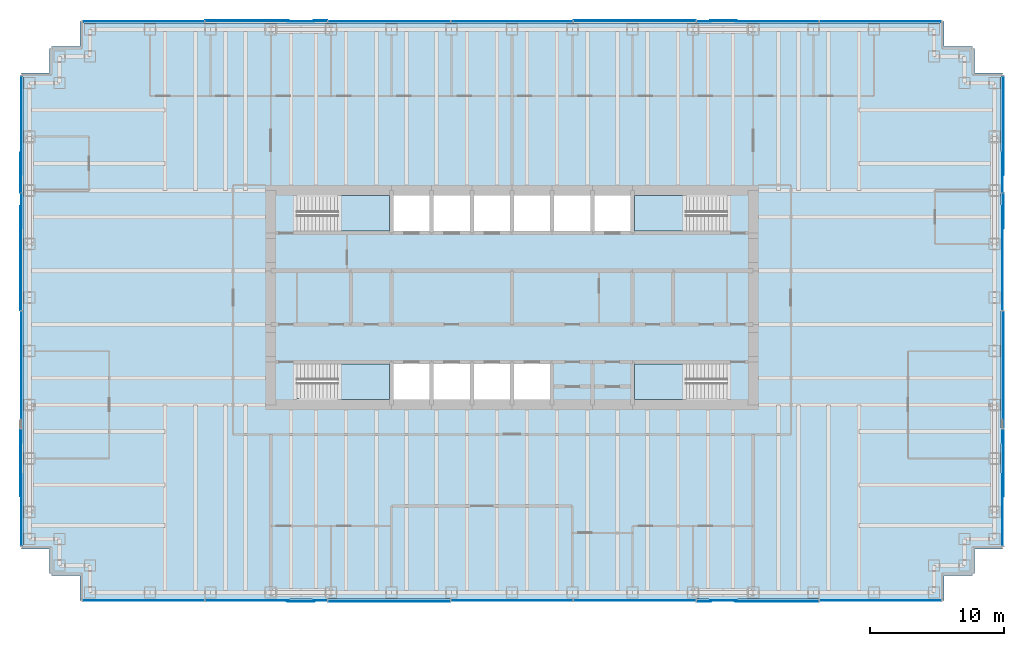
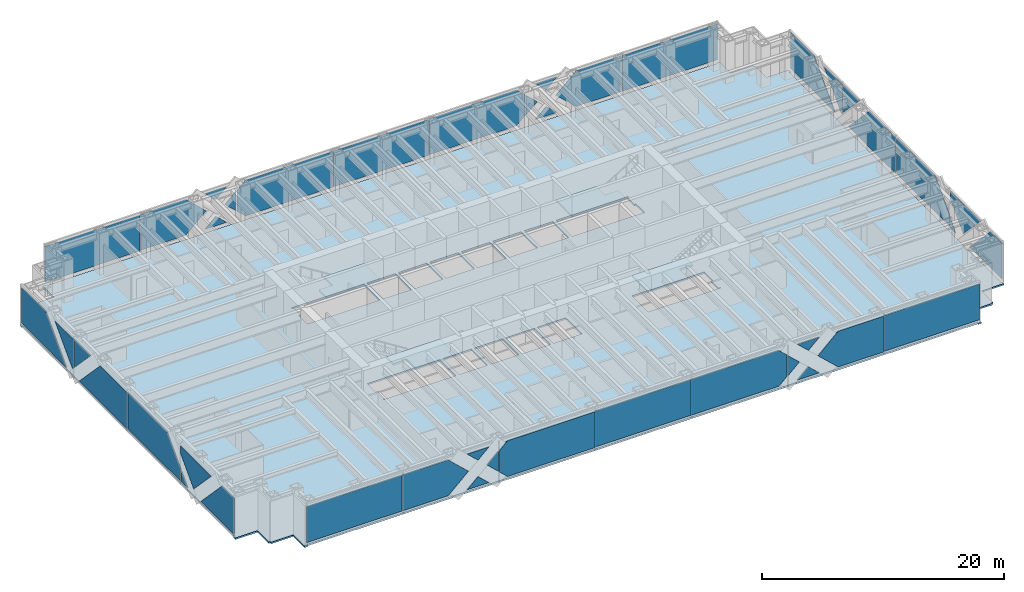
# One storey, part 9 of 17: 42 plates, 5 slabs, 8 elements without a shape of their own.
"""IFC4 building model written with IfcOpenShell, lengths in metres."""

import ifcopenshell
import ifcopenshell.guid

model = None  # the IFC model being written
_history = None  # IfcOwnerHistory: only IFC2X3 demands one
_inside = {}  # id of a spatial element -> (the spatial element, [elements in it])
_under = {}  # id of a project, library or spatial element -> (it, [spatial elements below it])
_declared = {}  # id of a project -> (the project, [libraries it declares])
_typed = {}  # id of a type object -> (the type object, [elements of that type])
_made_of = {}  # id of a material, layer set ... -> (it, [elements and type objects made of it])


def new_model(schema):
    """Start an empty IFC model of exactly this schema.

    Asked for "IFC4X3", IfcOpenShell would pick the latest addendum, in which some entities
    have other attributes; the version numbers below select the first issue.
    IFC2X3 requires an IfcOwnerHistory on every rooted entity: one is made here for all.
    """
    global model, _history
    if schema == "IFC4X3":
        model = ifcopenshell.file(schema_version=(4, 3, 0, 0))
    else:
        model = ifcopenshell.file(schema=schema)
    _inside.clear()
    _under.clear()
    _declared.clear()
    _typed.clear()
    _made_of.clear()
    _history = None
    if model.schema == "IFC2X3":
        org = make("IfcOrganization", Name="unknown")
        user = make(
            "IfcPersonAndOrganization",
            ThePerson=make("IfcPerson", FamilyName="unknown"),
            TheOrganization=org,
        )
        app = make(
            "IfcApplication",
            ApplicationDeveloper=org,
            Version="unknown",
            ApplicationFullName="unknown",
            ApplicationIdentifier="unknown",
        )
        _history = make(
            "IfcOwnerHistory",
            OwningUser=user,
            OwningApplication=app,
            ChangeAction="ADDED",
            CreationDate=0,
        )
    return model


def make(cls, **values):
    """One entity of the class cls with the attributes given. An attribute that is None is left unset."""
    return model.create_entity(
        cls, **{name: value for name, value in values.items() if value is not None}
    )


def rooted(cls, **values):
    """An entity with a GlobalId (a new one), such as an element, a storey or a relation."""
    return make(cls, GlobalId=ifcopenshell.guid.new(), OwnerHistory=_history, **values)


def si_unit(unit_type, name, prefix=None):
    """IfcSIUnit, for example si_unit("LENGTHUNIT", "METRE", prefix="MILLI")."""
    return make("IfcSIUnit", UnitType=unit_type, Prefix=prefix, Name=name)


def assignment(units):
    """IfcUnitAssignment: the units of a project."""
    return None if units is None else make("IfcUnitAssignment", Units=units)


def point(xyz):
    """IfcCartesianPoint."""
    return None if xyz is None else make("IfcCartesianPoint", Coordinates=xyz)


def direction(xyz):
    """IfcDirection."""
    return None if xyz is None else make("IfcDirection", DirectionRatios=xyz)


def frame(location, z_axis=None, x_axis=None):
    """IfcAxis2Placement3D, a coordinate frame: its origin and axes. An axis left out is left unset."""
    return make(
        "IfcAxis2Placement3D",
        Location=point(location),
        Axis=direction(z_axis),
        RefDirection=direction(x_axis),
    )


def frame_2d(location, x_axis=None):
    """IfcAxis2Placement2D, a coordinate frame in the plane: its origin and x axis."""
    return make(
        "IfcAxis2Placement2D", Location=point(location), RefDirection=direction(x_axis)
    )


def origin():
    """The frame at (0, 0, 0) with its axes left unset."""
    return frame((0.0, 0.0, 0.0))


def origin_2d():
    """The frame at (0, 0) in the plane with its x axis left unset."""
    return frame_2d((0.0, 0.0))


def place(relative_to, where):
    """IfcLocalPlacement: puts the frame where relative to a parent placement (None: the world)."""
    return make(
        "IfcLocalPlacement", PlacementRelTo=relative_to, RelativePlacement=where
    )


def context(
    kind, dimensions, precision=None, world=None, true_north=None, identifier=None
):
    """IfcGeometricRepresentationContext, for example the 3D "Model" context."""
    return make(
        "IfcGeometricRepresentationContext",
        ContextIdentifier=identifier,
        ContextType=kind,
        CoordinateSpaceDimension=dimensions,
        Precision=precision,
        WorldCoordinateSystem=world,
        TrueNorth=true_north,
    )


def subcontext(parent, identifier, kind, view, scale=None):
    """IfcGeometricRepresentationSubContext, for example "Body" below "Model"."""
    return make(
        "IfcGeometricRepresentationSubContext",
        ContextIdentifier=identifier,
        ContextType=kind,
        ParentContext=parent,
        TargetScale=scale,
        TargetView=view,
    )


def project(units=None, contexts=None):
    """IfcProject with its units and contexts."""
    return rooted(
        "IfcProject",
        Name="project",
        RepresentationContexts=contexts,
        UnitsInContext=assignment(units),
    )


def spatial(cls, under=None, at=None, **own):
    """A site, building, storey or space (cls), placed at a placement, below another one or the project."""
    s = rooted(cls, ObjectPlacement=at, **own)
    if under is not None:
        _under.setdefault(under.id(), (under, []))[1].append(s)
    return s


def polyline(points):
    """IfcPolyline through the points."""
    return make("IfcPolyline", Points=[point(p) for p in points])


def profile(cls, at=None, kind="AREA", **sizes):
    """A parametric profile (cls). Its sizes go by their IFC names, for example OverallWidth=200.0."""
    return make(cls, ProfileType=kind, Position=at, **sizes)


def rectangle(**sizes):
    """IfcRectangleProfileDef."""
    return profile("IfcRectangleProfileDef", **sizes)


def outline(outer, holes=None, kind="AREA"):
    """IfcArbitraryClosedProfileDef: a profile drawn as a closed curve; with holes, ...WithVoids."""
    if holes is None:
        return make("IfcArbitraryClosedProfileDef", ProfileType=kind, OuterCurve=outer)
    return make(
        "IfcArbitraryProfileDefWithVoids",
        ProfileType=kind,
        OuterCurve=outer,
        InnerCurves=holes,
    )


def extrude(swept, where, along, depth):
    """IfcExtrudedAreaSolid: the profile swept, set in the frame where, extruded along a direction by depth."""
    return make(
        "IfcExtrudedAreaSolid",
        SweptArea=swept,
        Position=where,
        ExtrudedDirection=direction(along),
        Depth=depth,
    )


def shape(context_of_items, identifier, shape_type, items):
    """IfcShapeRepresentation: the items that make up one representation, for example the "Body"."""
    return make(
        "IfcShapeRepresentation",
        ContextOfItems=context_of_items,
        RepresentationIdentifier=identifier,
        RepresentationType=shape_type,
        Items=items,
    )


def material(Name=None, Category=None):
    """IfcMaterial."""
    return make("IfcMaterial", Name=Name, Category=Category)


def layer(
    of_material, thickness, ventilated=None, Name=None, Category=None, Priority=None
):
    """IfcMaterialLayer: one layer of a wall or slab, of a material (None: an air gap)."""
    return make(
        "IfcMaterialLayer",
        Material=of_material,
        LayerThickness=thickness,
        IsVentilated=ventilated,
        Name=Name,
        Category=Category,
        Priority=Priority,
    )


def layer_set(layers, Name=None):
    """IfcMaterialLayerSet."""
    return make("IfcMaterialLayerSet", MaterialLayers=layers, LayerSetName=Name)


def made_of(thing, what):
    """Note that an element or type object is made of a material, layer set ...; save() writes the relation."""
    if what is not None:
        _made_of.setdefault(what.id(), (what, []))[1].append(thing)
    return thing


def type_object(cls, material=None, **own):
    """A type object (cls), such as IfcWallType, which elements share."""
    return made_of(rooted(cls, **own), material)


def element(
    cls,
    number,
    at=None,
    inside=None,
    cuts=None,
    type_object=None,
    material=None,
    context=None,
    identifier="Body",
    shape_type=None,
    held_by="IfcProductDefinitionShape",
    body=None,
    shapes=None,
    **own,
):
    """One element of the class cls, such as IfcWall. Its Tag is "e" and its number.

    at: its placement. inside: the storey or other place that contains it. cuts: it is an
    opening in that element (IfcRelVoidsElement). A single representation is given by context,
    identifier, shape_type and body (its items); several are given by shapes. held_by: the class
    of the entity that holds the representations. save() writes the other relations.
    """
    e = rooted(cls, Tag="e%d" % number, ObjectPlacement=at, **own)
    if body is not None:
        shapes = [shape(context, identifier, shape_type, body)]
    if shapes is not None:
        e.Representation = make(held_by, Representations=shapes)
    if inside is not None:
        _inside.setdefault(inside.id(), (inside, []))[1].append(e)
    if cuts is not None:
        rooted(
            "IfcRelVoidsElement", RelatingBuildingElement=cuts, RelatedOpeningElement=e
        )
    if type_object is not None:
        _typed.setdefault(type_object.id(), (type_object, []))[1].append(e)
    return made_of(e, material)


def aggregate(whole, parts):
    """IfcRelAggregates: a whole, such as a stair, and the parts it consists of."""
    return rooted("IfcRelAggregates", RelatingObject=whole, RelatedObjects=parts)


def save(model, path):
    """Write the relations noted so far, then the file.

    IfcRelAggregates (storeys below a building ...), IfcRelContainedInSpatialStructure (elements
    in a storey), IfcRelDefinesByType, IfcRelAssociatesMaterial and IfcRelDeclares: one each for
    every whole, place, type object, material and project.
    """
    for whole, parts in _under.values():
        aggregate(whole, parts)
    for where, things in _inside.values():
        rooted(
            "IfcRelContainedInSpatialStructure",
            RelatedElements=things,
            RelatingStructure=where,
        )
    for kind, things in _typed.values():
        rooted("IfcRelDefinesByType", RelatedObjects=things, RelatingType=kind)
    for what, things in _made_of.values():
        rooted("IfcRelAssociatesMaterial", RelatedObjects=things, RelatingMaterial=what)
    for by, libraries in _declared.values():
        rooted("IfcRelDeclares", RelatingContext=by, RelatedDefinitions=libraries)
    model.write(path)


model = new_model("IFC4")

# Units and contexts
model_context = context("Model", 3, precision=1e-05, world=origin(), true_north=direction((0.0, 1.0)))
body_context = subcontext(model_context, "Body", "Model", "MODEL_VIEW")
ifc_project = project(units=[si_unit("LENGTHUNIT", "METRE"), si_unit("AREAUNIT", "SQUARE_METRE"), si_unit("VOLUMEUNIT", "CUBIC_METRE"), si_unit("PLANEANGLEUNIT", "RADIAN"), si_unit("MASSUNIT", "GRAM", prefix="KILO")], contexts=[model_context])

# Site, building, storey
site_placement = place(None, origin())
site = spatial("IfcSite", under=ifc_project, at=site_placement, CompositionType="ELEMENT")
building_placement = place(site_placement, origin())
building = spatial("IfcBuilding", under=site, at=building_placement, Name="Rheinbord Bourse Tower", CompositionType="ELEMENT")
storey_placement = place(building_placement, frame((0.0, 0.0, 227.800048828125)))
storey = spatial("IfcBuildingStorey", under=building, at=storey_placement, Name="L51", CompositionType="ELEMENT", Elevation=227.800048828125)

# Slab
ifc_material_1 = material(Name="Concrete C30/37", Category="concrete")
ifc_layer_1 = layer(ifc_material_1, 0.159912109375)
ifc_layer_set_1 = layer_set([ifc_layer_1], Name="COMPOSITE FLOOR SLAB 160")
slab_type_1 = type_object("IfcSlabType", Name="COMPOSITE FLOOR SLAB 160", PredefinedType="FLOOR", material=ifc_layer_set_1)
slab_1_placement = place(storey_placement, frame((0.0, 0.0, -0.16015625)))
element("IfcSlab", 1, at=slab_1_placement, inside=storey, type_object=slab_type_1, Name="Floor slab L51", PredefinedType="FLOOR", context=body_context, shape_type="SweptSolid", body=[
    extrude(outline(polyline([(1.64990234375, 3.39990234375), (1.5, 3.39990234375), (1.5, 5.25), (-0.60009765625, 5.25), (-0.60009765625, 5.550048828125), (-0.5, 5.550048828125), (-0.5, 40.449951171875), (-0.60009765625, 40.449951171875), (-0.60009765625, 40.75), (1.5, 40.75), (1.5, 42.60009765625), (1.64990234375, 42.60009765625), (1.64990234375, 42.75), (3.75, 42.75), (3.75, 44.60009765625), (4.050048828125, 44.60009765625), (4.050048828125, 44.5), (67.949951171875, 44.5), (67.949951171875, 44.60009765625), (68.25, 44.60009765625), (68.25, 42.75), (70.35009765625, 42.75), (70.35009765625, 42.60009765625), (70.5, 42.60009765625), (70.5, 40.75), (72.60009765625, 40.75), (72.60009765625, 40.449951171875), (72.5, 40.449951171875), (72.5, 5.550048828125), (72.60009765625, 5.550048828125), (72.60009765625, 5.25), (70.5, 5.25), (70.5, 3.39990234375), (70.35009765625, 3.39990234375), (70.35009765625, 3.25), (68.25, 3.25), (68.25, 1.39990234375), (67.949951171875, 1.39990234375), (67.949951171875, 1.5), (4.050048828125, 1.5), (4.050048828125, 1.39990234375), (3.75, 1.39990234375), (3.75, 3.25), (1.64990234375, 3.25), (1.64990234375, 3.39990234375)]), holes=[polyline([(19.949951171875, 19.050048828125), (26.85009765625, 19.050048828125), (26.85009765625, 16.39990234375), (19.949951171875, 16.39990234375), (19.949951171875, 16.449951171875), (20.10009765625, 16.449951171875), (20.10009765625, 17.64990234375), (19.949951171875, 17.64990234375), (19.949951171875, 19.050048828125)]), polyline([(19.949951171875, 31.60009765625), (26.85009765625, 31.60009765625), (26.85009765625, 28.949951171875), (19.949951171875, 28.949951171875), (19.949951171875, 30.35009765625), (20.10009765625, 30.35009765625), (20.10009765625, 31.550048828125), (19.949951171875, 31.550048828125), (19.949951171875, 31.60009765625)]), polyline([(52.050048828125, 16.39990234375), (45.14990234375, 16.39990234375), (45.14990234375, 19.050048828125), (52.050048828125, 19.050048828125), (52.050048828125, 17.64990234375), (51.89990234375, 17.64990234375), (51.89990234375, 16.449951171875), (52.050048828125, 16.449951171875), (52.050048828125, 16.39990234375)]), polyline([(52.050048828125, 28.949951171875), (45.14990234375, 28.949951171875), (45.14990234375, 31.60009765625), (52.050048828125, 31.60009765625), (52.050048828125, 31.550048828125), (51.89990234375, 31.550048828125), (51.89990234375, 30.35009765625), (52.050048828125, 30.35009765625), (52.050048828125, 28.949951171875)]), polyline([(27.14990234375, 16.39990234375), (27.14990234375, 19.050048828125), (29.85009765625, 19.050048828125), (29.85009765625, 16.39990234375), (27.14990234375, 16.39990234375)]), polyline([(27.14990234375, 28.949951171875), (27.14990234375, 31.60009765625), (29.85009765625, 31.60009765625), (29.85009765625, 28.949951171875), (27.14990234375, 28.949951171875)]), polyline([(30.14990234375, 16.39990234375), (30.14990234375, 19.050048828125), (32.85009765625, 19.050048828125), (32.85009765625, 16.39990234375), (30.14990234375, 16.39990234375)]), polyline([(30.14990234375, 28.949951171875), (30.14990234375, 31.60009765625), (32.85009765625, 31.60009765625), (32.85009765625, 28.949951171875), (30.14990234375, 28.949951171875)]), polyline([(33.14990234375, 16.39990234375), (33.14990234375, 19.050048828125), (35.85009765625, 19.050048828125), (35.85009765625, 16.39990234375), (33.14990234375, 16.39990234375)]), polyline([(33.14990234375, 28.949951171875), (33.14990234375, 31.60009765625), (35.85009765625, 31.60009765625), (35.85009765625, 28.949951171875), (33.14990234375, 28.949951171875)]), polyline([(36.14990234375, 16.39990234375), (36.14990234375, 19.050048828125), (38.85009765625, 19.050048828125), (38.85009765625, 16.39990234375), (36.14990234375, 16.39990234375)]), polyline([(36.14990234375, 28.949951171875), (36.14990234375, 31.60009765625), (38.85009765625, 31.60009765625), (38.85009765625, 28.949951171875), (36.14990234375, 28.949951171875)]), polyline([(39.14990234375, 28.949951171875), (39.14990234375, 31.60009765625), (41.85009765625, 31.60009765625), (41.85009765625, 28.949951171875), (39.14990234375, 28.949951171875)]), polyline([(42.14990234375, 28.949951171875), (42.14990234375, 31.60009765625), (44.85009765625, 31.60009765625), (44.85009765625, 28.949951171875), (42.14990234375, 28.949951171875)])]), origin(), (0.0, 0.0, 1.0), 0.16015625),
])

# Curtain wall, plates
ifc_material_2 = material(Name="Dark glass and black aluminium", Category="aluminium")
curtain_wall_type = type_object("IfcCurtainWallType", Name="CW2 DARK GLASS CURTAIN WALL", PredefinedType="USERDEFINED", material=ifc_material_2)
curtain_wall_1_placement = place(storey_placement, origin())
curtain_wall_1 = element("IfcCurtainWall", 2, at=curtain_wall_1_placement, inside=storey, type_object=curtain_wall_type, Name="Curtain wall CW2 S L51", ObjectType="UNITISED CURTAIN WALL", PredefinedType="USERDEFINED")
ifc_material_3 = material(Name="Dark tinted triple insulating glass", Category="glass")
ifc_layer_2 = layer(ifc_material_3, 0.050048828125)
ifc_layer_set_2 = layer_set([ifc_layer_2], Name="CW2 DARK GLASS PANEL")
plate_type = type_object("IfcPlateType", Name="CW2 DARK GLASS PANEL", PredefinedType="CURTAIN_PANEL", material=ifc_layer_set_2)
plate_1_placement = place(storey_placement, frame((8.503173828125, 1.39990234375, 0.2998046875), z_axis=(0.0, 0.0, 1.0), x_axis=(1.0, 0.0, 0.0)))
plate_1 = element("IfcPlate", 3, at=plate_1_placement, type_object=plate_type, Name="CW2 panel 1.1", PredefinedType="CURTAIN_PANEL", context=body_context, shape_type="SweptSolid", body=[
    extrude(rectangle(XDim=9.06640625, YDim=0.050048828125, at=origin_2d()), origin(), (0.0, 0.0, 1.0), 3.60009765625),
])
plate_2_placement = place(storey_placement, frame((36.0, 1.39990234375, 0.2998046875), z_axis=(0.0, 0.0, 1.0), x_axis=(1.0, 0.0, 0.0)))
plate_2 = element("IfcPlate", 4, at=plate_2_placement, type_object=plate_type, Name="CW2 panel 4.1", PredefinedType="CURTAIN_PANEL", context=body_context, shape_type="SweptSolid", body=[
    extrude(rectangle(XDim=9.101318359375, YDim=0.050048828125, at=origin_2d()), origin(), (0.0, 0.0, 1.0), 3.60009765625),
])
plate_3_placement = place(storey_placement, frame((63.496826171875, 1.39990234375, 0.2998046875), z_axis=(0.0, 0.0, 1.0), x_axis=(1.0, 0.0, 0.0)))
plate_3 = element("IfcPlate", 5, at=plate_3_placement, type_object=plate_type, Name="CW2 panel 7.1", PredefinedType="CURTAIN_PANEL", context=body_context, shape_type="SweptSolid", body=[
    extrude(rectangle(XDim=9.06640625, YDim=0.050048828125, at=origin_2d()), origin(), (0.0, 0.0, 1.0), 3.60009765625),
])
plate_4_placement = place(storey_placement, frame((13.10595703125, 1.375, 0.300048828125), z_axis=(0.0, 1.0, 0.0), x_axis=(0.0, 0.0, 1.0)))
plate_4 = element("IfcPlate", 6, at=plate_4_placement, type_object=plate_type, Name="CW2 glass facet 1", PredefinedType="CURTAIN_PANEL", context=body_context, shape_type="SweptSolid", body=[
    extrude(outline(polyline([(0.0, 0.0), (3.599853515625, 0.0), (3.599853515625, 4.3291015625), (1.7998046875, 6.257080078125), (0.0, 4.3291015625), (0.0, 0.0)])), origin(), (0.0, 0.0, 1.0), 0.050048828125),
])
plate_5_placement = place(storey_placement, frame((19.2080078125, 1.31982421875, 0.300048828125), z_axis=(0.0, 1.0, 0.0), x_axis=(0.731266046968, 0.0, 0.682092346059)))
plate_5 = element("IfcPlate", 7, at=plate_5_placement, type_object=plate_type, Name="CW2 glass facet 2", PredefinedType="CURTAIN_PANEL", context=body_context, shape_type="SweptSolid", body=[
    extrude(outline(polyline([(0.0, 0.0), (1.4248046875, 0.0), (1.52392578125, 1.42138671875), (0.0, 0.0)])), origin(), (0.0, 0.0, 1.0), 0.050048828125),
])
plate_6_placement = place(storey_placement, frame((21.2919921875, 1.31982421875, 3.89990234375), z_axis=(0.0, 1.0, 0.0), x_axis=(-0.731266046968, 0.0, -0.682092346059)))
plate_6 = element("IfcPlate", 8, at=plate_6_placement, type_object=plate_type, Name="CW2 glass facet 3", PredefinedType="CURTAIN_PANEL", context=body_context, shape_type="SweptSolid", body=[
    extrude(outline(polyline([(0.0, 0.0), (1.4248046875, 0.0), (1.52392578125, 1.42138671875), (0.0, 0.0)])), origin(), (0.0, 0.0, 1.0), 0.050048828125),
])
plate_7_placement = place(storey_placement, frame((22.2080078125, 1.375, 1.099853515625), z_axis=(0.0, 1.0, 0.0), x_axis=(-0.730933363576, 0.0, 0.682448839117)))
plate_7 = element("IfcPlate", 9, at=plate_7_placement, type_object=plate_type, Name="CW2 glass facet 4", PredefinedType="CURTAIN_PANEL", context=body_context, shape_type="SweptSolid", body=[
    extrude(outline(polyline([(0.0, 0.0), (1.46533203125, 0.0), (1.364990234375, 1.4619140625), (0.0, 0.0)])), origin(), (0.0, 0.0, 1.0), 0.050048828125),
])
plate_8_placement = place(storey_placement, frame((31.37890625, 1.31982421875, 3.89990234375), z_axis=(0.0, 1.0, 0.0), x_axis=(0.0, 0.0, -1.0)))
plate_8 = element("IfcPlate", 10, at=plate_8_placement, type_object=plate_type, Name="CW2 glass facet 1", PredefinedType="CURTAIN_PANEL", context=body_context, shape_type="SweptSolid", body=[
    extrude(outline(polyline([(0.0, 0.0), (3.599853515625, 0.0), (3.599853515625, 8.31396484375), (2.864990234375, 9.100830078125), (0.73486328125, 9.100830078125), (0.0, 8.31396484375), (0.0, 0.0)])), origin(), (0.0, 0.0, 1.0), 0.050048828125),
])
plate_9_placement = place(storey_placement, frame((40.62109375, 1.375, 0.300048828125), z_axis=(0.0, 1.0, 0.0), x_axis=(0.0, 0.0, 1.0)))
plate_9 = element("IfcPlate", 11, at=plate_9_placement, type_object=plate_type, Name="CW2 glass facet 1", PredefinedType="CURTAIN_PANEL", context=body_context, shape_type="SweptSolid", body=[
    extrude(outline(polyline([(0.0, 0.0), (3.599853515625, 0.0), (3.599853515625, 8.31396484375), (2.864990234375, 9.100830078125), (0.73486328125, 9.100830078125), (0.0, 8.31396484375), (0.0, 0.0)])), origin(), (0.0, 0.0, 1.0), 0.050048828125),
])
plate_10_placement = place(storey_placement, frame((49.7919921875, 1.31982421875, 3.099853515625), z_axis=(0.0, 1.0, 0.0), x_axis=(0.730933363576, 0.0, -0.682448839117)))
plate_10 = element("IfcPlate", 12, at=plate_10_placement, type_object=plate_type, Name="CW2 glass facet 1", PredefinedType="CURTAIN_PANEL", context=body_context, shape_type="SweptSolid", body=[
    extrude(outline(polyline([(0.0, 0.0), (1.46533203125, 0.0), (1.364990234375, 1.4619140625), (0.0, 0.0)])), origin(), (0.0, 0.0, 1.0), 0.050048828125),
])
plate_11_placement = place(storey_placement, frame((50.7080078125, 1.375, 0.300048828125), z_axis=(0.0, 1.0, 0.0), x_axis=(0.731266046968, 0.0, 0.682092346059)))
plate_11 = element("IfcPlate", 13, at=plate_11_placement, type_object=plate_type, Name="CW2 glass facet 2", PredefinedType="CURTAIN_PANEL", context=body_context, shape_type="SweptSolid", body=[
    extrude(outline(polyline([(0.0, 0.0), (1.4248046875, 0.0), (1.52392578125, 1.42138671875), (0.0, 0.0)])), origin(), (0.0, 0.0, 1.0), 0.050048828125),
])
plate_12_placement = place(storey_placement, frame((52.7919921875, 1.375, 3.89990234375), z_axis=(0.0, 1.0, 0.0), x_axis=(-0.731266046968, 0.0, -0.682092346059)))
plate_12 = element("IfcPlate", 14, at=plate_12_placement, type_object=plate_type, Name="CW2 glass facet 3", PredefinedType="CURTAIN_PANEL", context=body_context, shape_type="SweptSolid", body=[
    extrude(outline(polyline([(0.0, 0.0), (1.4248046875, 0.0), (1.52392578125, 1.42138671875), (0.0, 0.0)])), origin(), (0.0, 0.0, 1.0), 0.050048828125),
])
plate_13_placement = place(storey_placement, frame((58.89404296875, 1.31982421875, 3.89990234375), z_axis=(0.0, 1.0, 0.0), x_axis=(0.0, 0.0, -1.0)))
plate_13 = element("IfcPlate", 15, at=plate_13_placement, type_object=plate_type, Name="CW2 glass facet 4", PredefinedType="CURTAIN_PANEL", context=body_context, shape_type="SweptSolid", body=[
    extrude(outline(polyline([(0.0, 0.0), (3.599853515625, 0.0), (3.599853515625, 4.3291015625), (1.800048828125, 6.257080078125), (0.0, 4.3291015625), (0.0, 0.0)])), origin(), (0.0, 0.0, 1.0), 0.050048828125),
])
aggregate(curtain_wall_1, [plate_1, plate_2, plate_3, plate_4, plate_5, plate_6, plate_7, plate_8, plate_9, plate_10, plate_11, plate_12, plate_13])

curtain_wall_2_placement = place(storey_placement, origin())
curtain_wall_2 = element("IfcCurtainWall", 16, at=curtain_wall_2_placement, inside=storey, type_object=curtain_wall_type, Name="Curtain wall CW2 E L51", ObjectType="UNITISED CURTAIN WALL", PredefinedType="USERDEFINED")
plate_14_placement = place(storey_placement, frame((72.625, 5.469970703125, 0.300048828125), z_axis=(-1.0, 0.0, 0.0), x_axis=(0.0, 0.0, 1.0)))
plate_14 = element("IfcPlate", 17, at=plate_14_placement, type_object=plate_type, Name="CW2 glass facet 1", PredefinedType="CURTAIN_PANEL", context=body_context, shape_type="SweptSolid", body=[
    extrude(outline(polyline([(0.0, 0.0), (3.599853515625, 0.0), (3.599853515625, 1.97998046875), (0.0, 5.408935546875), (0.0, 0.0)])), origin(), (0.0, 0.0, 1.0), 0.050048828125),
])
plate_15_placement = place(storey_placement, frame((72.68017578125, 14.1650390625, 3.89990234375), z_axis=(-1.0, 0.0, 0.0), x_axis=(0.0, 0.0, -1.0)))
plate_15 = element("IfcPlate", 18, at=plate_15_placement, type_object=plate_type, Name="CW2 glass facet 2", PredefinedType="CURTAIN_PANEL", context=body_context, shape_type="SweptSolid", body=[
    extrude(outline(polyline([(0.0, 0.0), (0.7490234375, 0.0), (3.02294921875, 2.1650390625), (0.0, 5.0439453125), (0.0, 0.0)])), origin(), (0.0, 0.0, 1.0), 0.050048828125),
])
plate_16_placement = place(storey_placement, frame((72.625, 14.1650390625, 0.300048828125), z_axis=(-1.0, 0.0, 0.0), x_axis=(0.0, -1.0, 0.0)))
plate_16 = element("IfcPlate", 19, at=plate_16_placement, type_object=plate_type, Name="CW2 glass facet 3", PredefinedType="CURTAIN_PANEL", context=body_context, shape_type="SweptSolid", body=[
    extrude(outline(polyline([(0.0, 0.0), (1.0439453125, 0.0), (0.0, 1.095947265625), (0.0, 0.0)])), origin(), (0.0, 0.0, 1.0), 0.050048828125),
])
plate_17_placement = place(storey_placement, frame((72.68017578125, 22.965087890625, 3.89990234375), z_axis=(-1.0, 0.0, 0.0), x_axis=(0.0, 0.0, -1.0)))
plate_17 = element("IfcPlate", 20, at=plate_17_placement, type_object=plate_type, Name="CW2 glass facet 2", PredefinedType="CURTAIN_PANEL", context=body_context, shape_type="SweptSolid", body=[
    extrude(outline(polyline([(0.0, 0.0), (3.599853515625, 0.0), (3.599853515625, 8.72998046875), (2.430908203125, 8.72998046875), (0.0, 6.4150390625), (0.0, 0.0)])), origin(), (0.0, 0.0, 1.0), 0.050048828125),
])
plate_18_placement = place(storey_placement, frame((72.625, 23.034912109375, 0.300048828125), z_axis=(-1.0, 0.0, 0.0), x_axis=(0.0, 0.0, 1.0)))
plate_18 = element("IfcPlate", 21, at=plate_18_placement, type_object=plate_type, Name="CW2 glass facet 1", PredefinedType="CURTAIN_PANEL", context=body_context, shape_type="SweptSolid", body=[
    extrude(outline(polyline([(0.0, 0.0), (3.599853515625, 0.0), (3.599853515625, 4.4150390625), (0.0, 7.843994140625), (0.0, 0.0)])), origin(), (0.0, 0.0, 1.0), 0.050048828125),
])
plate_19_placement = place(storey_placement, frame((72.68017578125, 31.764892578125, 3.89990234375), z_axis=(-1.0, 0.0, 0.0), x_axis=(0.0, 0.0, -1.0)))
plate_19 = element("IfcPlate", 22, at=plate_19_placement, type_object=plate_type, Name="CW2 glass facet 2", PredefinedType="CURTAIN_PANEL", context=body_context, shape_type="SweptSolid", body=[
    extrude(outline(polyline([(0.0, 0.0), (2.77587890625, 0.0), (0.0, 2.643798828125), (0.0, 0.0)])), origin(), (0.0, 0.0, 1.0), 0.050048828125),
])
plate_20_placement = place(storey_placement, frame((72.625, 31.8349609375, 3.89990234375), z_axis=(-1.0, 0.0, 0.0), x_axis=(0.0, 1.0, 0.0)))
plate_20 = element("IfcPlate", 23, at=plate_20_placement, type_object=plate_type, Name="CW2 glass facet 1", PredefinedType="CURTAIN_PANEL", context=body_context, shape_type="SweptSolid", body=[
    extrude(outline(polyline([(0.0, 0.0), (3.0439453125, 0.0), (0.1650390625, 3.02294921875), (0.0, 2.848876953125), (0.0, 0.0)])), origin(), (0.0, 0.0, 1.0), 0.050048828125),
])
plate_21_placement = place(storey_placement, frame((72.68017578125, 40.530029296875, 3.89990234375), z_axis=(-1.0, 0.0, 0.0), x_axis=(0.0, 0.0, -1.0)))
plate_21 = element("IfcPlate", 24, at=plate_21_placement, type_object=plate_type, Name="CW2 glass facet 2", PredefinedType="CURTAIN_PANEL", context=body_context, shape_type="SweptSolid", body=[
    extrude(outline(polyline([(0.0, 0.0), (3.599853515625, 0.0), (3.599853515625, 7.408935546875), (0.0, 3.97998046875), (0.0, 0.0)])), origin(), (0.0, 0.0, 1.0), 0.050048828125),
])
aggregate(curtain_wall_2, [plate_14, plate_15, plate_16, plate_17, plate_18, plate_19, plate_20, plate_21])

curtain_wall_3_placement = place(storey_placement, origin())
curtain_wall_3 = element("IfcCurtainWall", 25, at=curtain_wall_3_placement, inside=storey, type_object=curtain_wall_type, Name="Curtain wall CW2 N L51", ObjectType="UNITISED CURTAIN WALL", PredefinedType="USERDEFINED")
plate_22_placement = place(storey_placement, frame((63.496826171875, 44.60009765625, 0.2998046875), z_axis=(0.0, 0.0, 1.0), x_axis=(-1.0, 0.0, 0.0)))
plate_22 = element("IfcPlate", 26, at=plate_22_placement, type_object=plate_type, Name="CW2 panel 1.1", PredefinedType="CURTAIN_PANEL", context=body_context, shape_type="SweptSolid", body=[
    extrude(rectangle(XDim=9.06640625, YDim=0.050048828125, at=origin_2d()), origin(), (0.0, 0.0, 1.0), 3.60009765625),
])
plate_23_placement = place(storey_placement, frame((36.0, 44.60009765625, 0.2998046875), z_axis=(0.0, 0.0, 1.0), x_axis=(-1.0, 0.0, 0.0)))
plate_23 = element("IfcPlate", 27, at=plate_23_placement, type_object=plate_type, Name="CW2 panel 4.1", PredefinedType="CURTAIN_PANEL", context=body_context, shape_type="SweptSolid", body=[
    extrude(rectangle(XDim=9.101318359375, YDim=0.050048828125, at=origin_2d()), origin(), (0.0, 0.0, 1.0), 3.60009765625),
])
plate_24_placement = place(storey_placement, frame((8.503173828125, 44.60009765625, 0.2998046875), z_axis=(0.0, 0.0, 1.0), x_axis=(-1.0, 0.0, 0.0)))
plate_24 = element("IfcPlate", 28, at=plate_24_placement, type_object=plate_type, Name="CW2 panel 7.1", PredefinedType="CURTAIN_PANEL", context=body_context, shape_type="SweptSolid", body=[
    extrude(rectangle(XDim=9.06640625, YDim=0.050048828125, at=origin_2d()), origin(), (0.0, 0.0, 1.0), 3.60009765625),
])
plate_25_placement = place(storey_placement, frame((58.89404296875, 44.625, 0.300048828125), z_axis=(0.0, -1.0, 0.0), x_axis=(0.0, 0.0, 1.0)))
plate_25 = element("IfcPlate", 29, at=plate_25_placement, type_object=plate_type, Name="CW2 glass facet 1", PredefinedType="CURTAIN_PANEL", context=body_context, shape_type="SweptSolid", body=[
    extrude(outline(polyline([(0.0, 0.0), (3.599853515625, 0.0), (3.599853515625, 4.3291015625), (1.7998046875, 6.257080078125), (0.0, 4.3291015625), (0.0, 0.0)])), origin(), (0.0, 0.0, 1.0), 0.050048828125),
])
plate_26_placement = place(storey_placement, frame((52.7919921875, 44.68017578125, 0.300048828125), z_axis=(0.0, -1.0, 0.0), x_axis=(-0.731266046968, 0.0, 0.682092346059)))
plate_26 = element("IfcPlate", 30, at=plate_26_placement, type_object=plate_type, Name="CW2 glass facet 2", PredefinedType="CURTAIN_PANEL", context=body_context, shape_type="SweptSolid", body=[
    extrude(outline(polyline([(0.0, 0.0), (1.4248046875, 0.0), (1.52392578125, 1.42138671875), (0.0, 0.0)])), origin(), (0.0, 0.0, 1.0), 0.050048828125),
])
plate_27_placement = place(storey_placement, frame((50.7080078125, 44.68017578125, 3.89990234375), z_axis=(0.0, -1.0, 0.0), x_axis=(0.731266046968, 0.0, -0.682092346059)))
plate_27 = element("IfcPlate", 31, at=plate_27_placement, type_object=plate_type, Name="CW2 glass facet 3", PredefinedType="CURTAIN_PANEL", context=body_context, shape_type="SweptSolid", body=[
    extrude(outline(polyline([(0.0, 0.0), (1.4248046875, 0.0), (1.52392578125, 1.42138671875), (0.0, 0.0)])), origin(), (0.0, 0.0, 1.0), 0.050048828125),
])
plate_28_placement = place(storey_placement, frame((49.7919921875, 44.625, 1.099853515625), z_axis=(0.0, -1.0, 0.0), x_axis=(0.730933363576, 0.0, 0.682448839117)))
plate_28 = element("IfcPlate", 32, at=plate_28_placement, type_object=plate_type, Name="CW2 glass facet 4", PredefinedType="CURTAIN_PANEL", context=body_context, shape_type="SweptSolid", body=[
    extrude(outline(polyline([(0.0, 0.0), (1.46533203125, 0.0), (1.364990234375, 1.4619140625), (0.0, 0.0)])), origin(), (0.0, 0.0, 1.0), 0.050048828125),
])
plate_29_placement = place(storey_placement, frame((40.62109375, 44.68017578125, 3.89990234375), z_axis=(0.0, -1.0, 0.0), x_axis=(0.0, 0.0, -1.0)))
plate_29 = element("IfcPlate", 33, at=plate_29_placement, type_object=plate_type, Name="CW2 glass facet 1", PredefinedType="CURTAIN_PANEL", context=body_context, shape_type="SweptSolid", body=[
    extrude(outline(polyline([(0.0, 0.0), (3.599853515625, 0.0), (3.599853515625, 8.31396484375), (2.864990234375, 9.100830078125), (0.73486328125, 9.100830078125), (0.0, 8.31396484375), (0.0, 0.0)])), origin(), (0.0, 0.0, 1.0), 0.050048828125),
])
plate_30_placement = place(storey_placement, frame((31.37890625, 44.625, 0.300048828125), z_axis=(0.0, -1.0, 0.0), x_axis=(0.0, 0.0, 1.0)))
plate_30 = element("IfcPlate", 34, at=plate_30_placement, type_object=plate_type, Name="CW2 glass facet 1", PredefinedType="CURTAIN_PANEL", context=body_context, shape_type="SweptSolid", body=[
    extrude(outline(polyline([(0.0, 0.0), (3.599853515625, 0.0), (3.599853515625, 8.31396484375), (2.864990234375, 9.100830078125), (0.73486328125, 9.100830078125), (0.0, 8.31396484375), (0.0, 0.0)])), origin(), (0.0, 0.0, 1.0), 0.050048828125),
])
plate_31_placement = place(storey_placement, frame((22.2080078125, 44.68017578125, 3.099853515625), z_axis=(0.0, -1.0, 0.0), x_axis=(-0.730933363576, 0.0, -0.682448839117)))
plate_31 = element("IfcPlate", 35, at=plate_31_placement, type_object=plate_type, Name="CW2 glass facet 1", PredefinedType="CURTAIN_PANEL", context=body_context, shape_type="SweptSolid", body=[
    extrude(outline(polyline([(0.0, 0.0), (1.46533203125, 0.0), (1.364990234375, 1.4619140625), (0.0, 0.0)])), origin(), (0.0, 0.0, 1.0), 0.050048828125),
])
plate_32_placement = place(storey_placement, frame((21.2919921875, 44.625, 0.300048828125), z_axis=(0.0, -1.0, 0.0), x_axis=(-0.731266046968, 0.0, 0.682092346059)))
plate_32 = element("IfcPlate", 36, at=plate_32_placement, type_object=plate_type, Name="CW2 glass facet 2", PredefinedType="CURTAIN_PANEL", context=body_context, shape_type="SweptSolid", body=[
    extrude(outline(polyline([(0.0, 0.0), (1.4248046875, 0.0), (1.52392578125, 1.42138671875), (0.0, 0.0)])), origin(), (0.0, 0.0, 1.0), 0.050048828125),
])
plate_33_placement = place(storey_placement, frame((19.2080078125, 44.625, 3.89990234375), z_axis=(0.0, -1.0, 0.0), x_axis=(0.731266046968, 0.0, -0.682092346059)))
plate_33 = element("IfcPlate", 37, at=plate_33_placement, type_object=plate_type, Name="CW2 glass facet 3", PredefinedType="CURTAIN_PANEL", context=body_context, shape_type="SweptSolid", body=[
    extrude(outline(polyline([(0.0, 0.0), (1.4248046875, 0.0), (1.52392578125, 1.42138671875), (0.0, 0.0)])), origin(), (0.0, 0.0, 1.0), 0.050048828125),
])
plate_34_placement = place(storey_placement, frame((13.10595703125, 44.68017578125, 3.89990234375), z_axis=(0.0, -1.0, 0.0), x_axis=(0.0, 0.0, -1.0)))
plate_34 = element("IfcPlate", 38, at=plate_34_placement, type_object=plate_type, Name="CW2 glass facet 4", PredefinedType="CURTAIN_PANEL", context=body_context, shape_type="SweptSolid", body=[
    extrude(outline(polyline([(0.0, 0.0), (3.599853515625, 0.0), (3.599853515625, 4.3291015625), (1.800048828125, 6.257080078125), (0.0, 4.3291015625), (0.0, 0.0)])), origin(), (0.0, 0.0, 1.0), 0.050048828125),
])
aggregate(curtain_wall_3, [plate_22, plate_23, plate_24, plate_25, plate_26, plate_27, plate_28, plate_29, plate_30, plate_31, plate_32, plate_33, plate_34])

curtain_wall_4_placement = place(storey_placement, origin())
curtain_wall_4 = element("IfcCurtainWall", 39, at=curtain_wall_4_placement, inside=storey, type_object=curtain_wall_type, Name="Curtain wall CW2 W L51", ObjectType="UNITISED CURTAIN WALL", PredefinedType="USERDEFINED")
plate_35_placement = place(storey_placement, frame((-0.625, 40.530029296875, 0.300048828125), z_axis=(1.0, 0.0, 0.0), x_axis=(0.0, 0.0, 1.0)))
plate_35 = element("IfcPlate", 40, at=plate_35_placement, type_object=plate_type, Name="CW2 glass facet 1", PredefinedType="CURTAIN_PANEL", context=body_context, shape_type="SweptSolid", body=[
    extrude(outline(polyline([(0.0, 0.0), (3.599853515625, 0.0), (3.599853515625, 3.97998046875), (0.0, 7.408935546875), (0.0, 0.0)])), origin(), (0.0, 0.0, 1.0), 0.050048828125),
])
plate_36_placement = place(storey_placement, frame((-0.68017578125, 31.8349609375, 3.89990234375), z_axis=(1.0, 0.0, 0.0), x_axis=(0.0, 0.0, -1.0)))
plate_36 = element("IfcPlate", 41, at=plate_36_placement, type_object=plate_type, Name="CW2 glass facet 2", PredefinedType="CURTAIN_PANEL", context=body_context, shape_type="SweptSolid", body=[
    extrude(outline(polyline([(0.0, 0.0), (2.848876953125, 0.0), (3.02294921875, 0.1650390625), (0.0, 3.0439453125), (0.0, 0.0)])), origin(), (0.0, 0.0, 1.0), 0.050048828125),
])
plate_37_placement = place(storey_placement, frame((-0.625, 31.764892578125, 3.89990234375), z_axis=(1.0, 0.0, 0.0), x_axis=(0.0, -1.0, 0.0)))
plate_37 = element("IfcPlate", 42, at=plate_37_placement, type_object=plate_type, Name="CW2 glass facet 1", PredefinedType="CURTAIN_PANEL", context=body_context, shape_type="SweptSolid", body=[
    extrude(outline(polyline([(0.0, 0.0), (2.643798828125, 0.0), (0.0, 2.77587890625), (0.0, 0.0)])), origin(), (0.0, 0.0, 1.0), 0.050048828125),
])
plate_38_placement = place(storey_placement, frame((-0.68017578125, 23.034912109375, 3.89990234375), z_axis=(1.0, 0.0, 0.0), x_axis=(0.0, 0.0, -1.0)))
plate_38 = element("IfcPlate", 43, at=plate_38_placement, type_object=plate_type, Name="CW2 glass facet 2", PredefinedType="CURTAIN_PANEL", context=body_context, shape_type="SweptSolid", body=[
    extrude(outline(polyline([(0.0, 0.0), (3.599853515625, 0.0), (3.599853515625, 7.843994140625), (0.0, 4.4150390625), (0.0, 0.0)])), origin(), (0.0, 0.0, 1.0), 0.050048828125),
])
plate_39_placement = place(storey_placement, frame((-0.625, 14.235107421875, 0.300048828125), z_axis=(1.0, 0.0, 0.0), x_axis=(0.0, 1.0, 0.0)))
plate_39 = element("IfcPlate", 44, at=plate_39_placement, type_object=plate_type, Name="CW2 glass facet 1", PredefinedType="CURTAIN_PANEL", context=body_context, shape_type="SweptSolid", body=[
    extrude(outline(polyline([(0.0, 0.0), (8.72998046875, 0.0), (8.72998046875, 3.599853515625), (2.31494140625, 3.599853515625), (0.0, 1.1689453125), (0.0, 0.0)])), origin(), (0.0, 0.0, 1.0), 0.050048828125),
])
plate_40_placement = place(storey_placement, frame((-0.625, 14.1650390625, 0.300048828125), z_axis=(1.0, 0.0, 0.0), x_axis=(0.0, 0.0, 1.0)))
plate_40 = element("IfcPlate", 45, at=plate_40_placement, type_object=plate_type, Name="CW2 glass facet 1", PredefinedType="CURTAIN_PANEL", context=body_context, shape_type="SweptSolid", body=[
    extrude(outline(polyline([(0.0, 0.0), (1.095947265625, 0.0), (0.0, 1.0439453125), (0.0, 0.0)])), origin(), (0.0, 0.0, 1.0), 0.050048828125),
])
plate_41_placement = place(storey_placement, frame((-0.68017578125, 14.1650390625, 3.89990234375), z_axis=(1.0, 0.0, 0.0), x_axis=(0.0, -1.0, 0.0)))
plate_41 = element("IfcPlate", 46, at=plate_41_placement, type_object=plate_type, Name="CW2 glass facet 2", PredefinedType="CURTAIN_PANEL", context=body_context, shape_type="SweptSolid", body=[
    extrude(outline(polyline([(0.0, 0.0), (5.0439453125, 0.0), (2.1650390625, 3.02294921875), (0.0, 0.7490234375), (0.0, 0.0)])), origin(), (0.0, 0.0, 1.0), 0.050048828125),
])
plate_42_placement = place(storey_placement, frame((-0.625, 5.469970703125, 3.89990234375), z_axis=(1.0, 0.0, 0.0), x_axis=(0.0, 0.0, -1.0)))
plate_42 = element("IfcPlate", 47, at=plate_42_placement, type_object=plate_type, Name="CW2 glass facet 3", PredefinedType="CURTAIN_PANEL", context=body_context, shape_type="SweptSolid", body=[
    extrude(outline(polyline([(0.0, 0.0), (3.599853515625, 0.0), (3.599853515625, 5.408935546875), (0.0, 1.97998046875), (0.0, 0.0)])), origin(), (0.0, 0.0, 1.0), 0.050048828125),
])
aggregate(curtain_wall_4, [plate_35, plate_36, plate_37, plate_38, plate_39, plate_40, plate_41, plate_42])

# Stair, slab
ifc_material_4 = material(Name="Concrete C30/37", Category="concrete")
stair_type = type_object("IfcStairType", Name="CORE STAIR HALF TURN 4200", PredefinedType="HALF_TURN_STAIR", material=ifc_material_4)
stair_1_placement = place(storey_placement, origin())
stair_1 = element("IfcStair", 48, at=stair_1_placement, inside=storey, type_object=stair_type, Name="Stair ST1 L51, type CS6", PredefinedType="HALF_TURN_STAIR")
ifc_material_5 = material(Name="Concrete C30/37", Category="concrete")
ifc_layer_3 = layer(ifc_material_5, 0.199951171875)
ifc_layer_set_3 = layer_set([ifc_layer_3], Name="STAIR LANDING 200")
slab_type_2 = type_object("IfcSlabType", Name="STAIR LANDING 200", PredefinedType="LANDING", material=ifc_layer_set_3)
slab_2_placement = place(storey_placement, frame((0.0, 0.0, 1.89990234375)))
slab_2 = element("IfcSlab", 49, at=slab_2_placement, type_object=slab_type_2, Name="Half landing ST1 L51", PredefinedType="LANDING", context=body_context, shape_type="SweptSolid", body=[
    extrude(outline(polyline([(23.030029296875, 16.39990234375), (26.85009765625, 16.39990234375), (26.85009765625, 19.050048828125), (21.748046875, 19.050048828125), (21.748046875, 17.85009765625), (23.030029296875, 17.85009765625), (23.030029296875, 16.39990234375)])), origin(), (0.0, 0.0, 1.0), 0.199951171875),
])
aggregate(stair_1, [slab_2])

stair_2_placement = place(storey_placement, origin())
stair_2 = element("IfcStair", 50, at=stair_2_placement, inside=storey, type_object=stair_type, Name="Stair ST2 L51, type CS6", PredefinedType="HALF_TURN_STAIR")
slab_3_placement = place(storey_placement, frame((0.0, 0.0, 1.89990234375)))
slab_3 = element("IfcSlab", 51, at=slab_3_placement, type_object=slab_type_2, Name="Half landing ST2 L51", PredefinedType="LANDING", context=body_context, shape_type="SweptSolid", body=[
    extrude(outline(polyline([(21.748046875, 28.949951171875), (26.85009765625, 28.949951171875), (26.85009765625, 31.60009765625), (23.030029296875, 31.60009765625), (23.030029296875, 30.14990234375), (21.748046875, 30.14990234375), (21.748046875, 28.949951171875)])), origin(), (0.0, 0.0, 1.0), 0.199951171875),
])
aggregate(stair_2, [slab_3])

stair_3_placement = place(storey_placement, origin())
stair_3 = element("IfcStair", 52, at=stair_3_placement, inside=storey, type_object=stair_type, Name="Stair ST3 L51, type CS6", PredefinedType="HALF_TURN_STAIR")
slab_4_placement = place(storey_placement, frame((0.0, 0.0, 1.89990234375)))
slab_4 = element("IfcSlab", 53, at=slab_4_placement, type_object=slab_type_2, Name="Half landing ST3 L51", PredefinedType="LANDING", context=body_context, shape_type="SweptSolid", body=[
    extrude(outline(polyline([(45.14990234375, 16.39990234375), (48.969970703125, 16.39990234375), (48.969970703125, 17.85009765625), (50.251953125, 17.85009765625), (50.251953125, 19.050048828125), (45.14990234375, 19.050048828125), (45.14990234375, 16.39990234375)])), origin(), (0.0, 0.0, 1.0), 0.199951171875),
])
aggregate(stair_3, [slab_4])

stair_4_placement = place(storey_placement, origin())
stair_4 = element("IfcStair", 54, at=stair_4_placement, inside=storey, type_object=stair_type, Name="Stair ST4 L51, type CS6", PredefinedType="HALF_TURN_STAIR")
slab_5_placement = place(storey_placement, frame((0.0, 0.0, 1.89990234375)))
slab_5 = element("IfcSlab", 55, at=slab_5_placement, type_object=slab_type_2, Name="Half landing ST4 L51", PredefinedType="LANDING", context=body_context, shape_type="SweptSolid", body=[
    extrude(outline(polyline([(45.14990234375, 28.949951171875), (50.251953125, 28.949951171875), (50.251953125, 30.14990234375), (48.969970703125, 30.14990234375), (48.969970703125, 31.60009765625), (45.14990234375, 31.60009765625), (45.14990234375, 28.949951171875)])), origin(), (0.0, 0.0, 1.0), 0.199951171875),
])
aggregate(stair_4, [slab_5])

save(model, "model.ifc")
